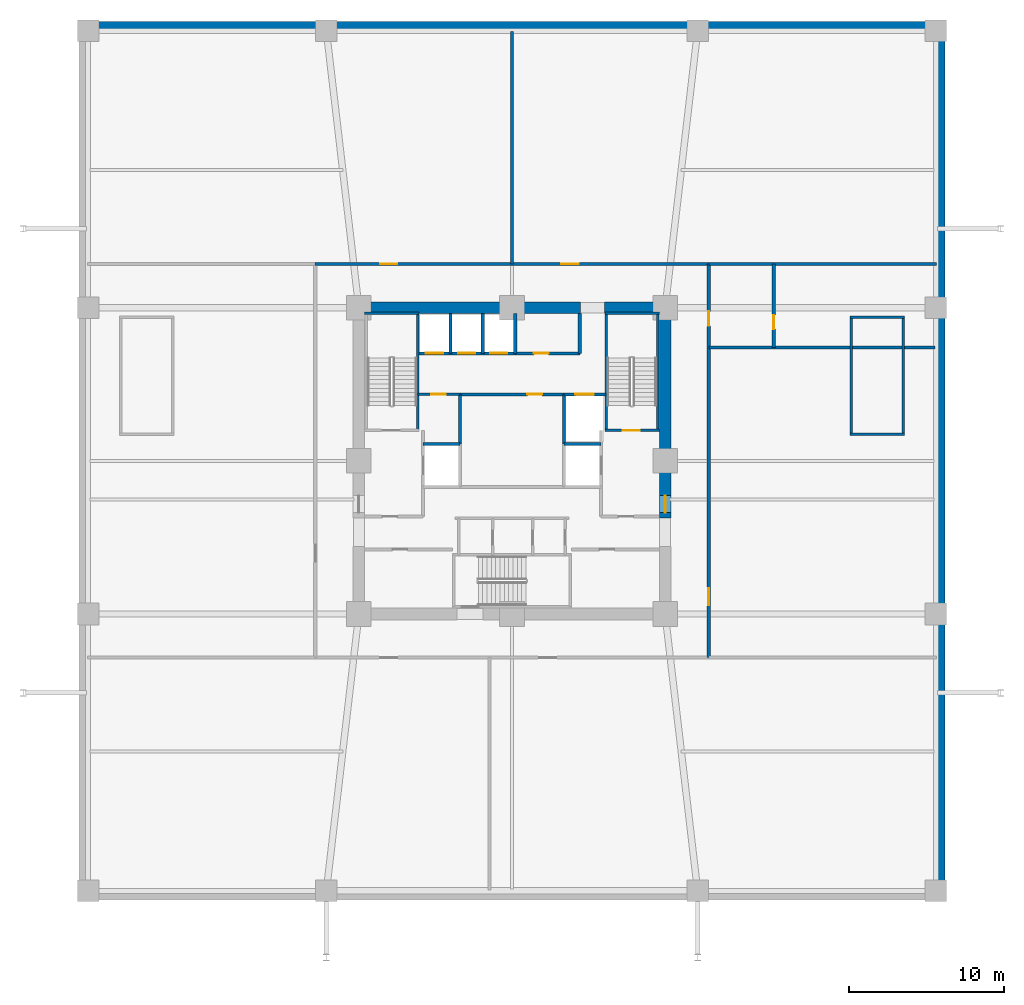
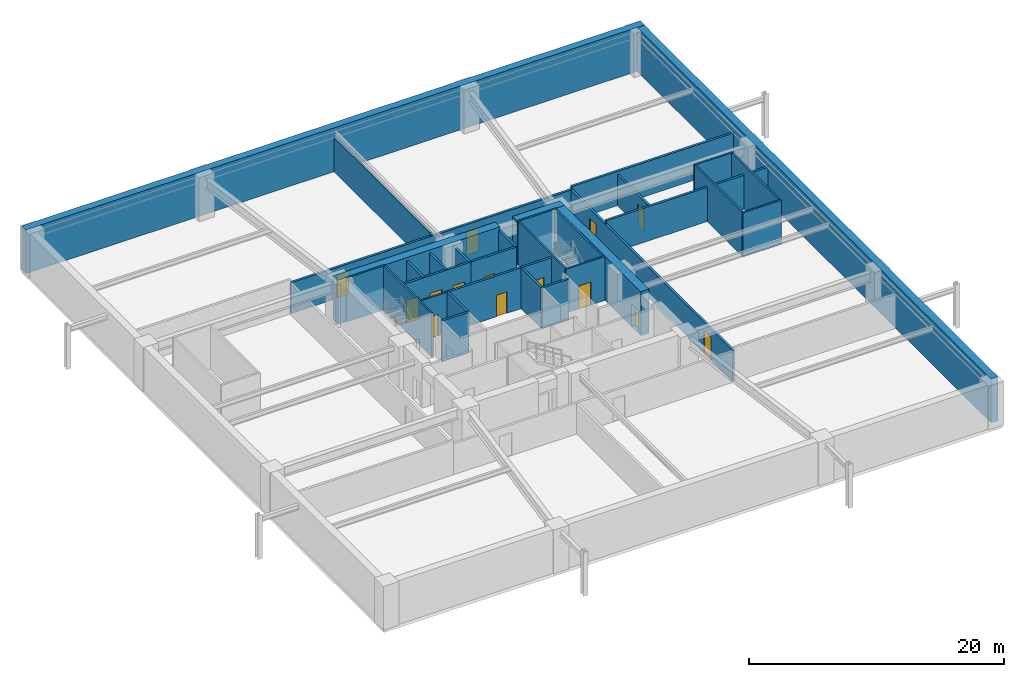
# One storey, part 3 of 5: 34 walls, 14 doors, 14 openings.
"""IFC4 building model written with IfcOpenShell, lengths in metres."""

from ifc_helpers import new_model, si_unit, direction, frame, frame_2d, origin, place, context, subcontext, project, spatial, rectangle, extrude, material, layer, layer_set, type_object, element, fill, save


model = new_model("IFC4")

# Units and contexts
model_context = context("Model", 3, precision=1e-05, world=origin(), true_north=direction((0.0, 1.0)))
body_context = subcontext(model_context, "Body", "Model", "MODEL_VIEW")
ifc_project = project(units=[si_unit("LENGTHUNIT", "METRE"), si_unit("AREAUNIT", "SQUARE_METRE"), si_unit("VOLUMEUNIT", "CUBIC_METRE"), si_unit("PLANEANGLEUNIT", "RADIAN"), si_unit("MASSUNIT", "GRAM", prefix="KILO")], contexts=[model_context])

# Site, building, storey
site_placement = place(None, origin())
site = spatial("IfcSite", under=ifc_project, at=site_placement, CompositionType="ELEMENT")
building_placement = place(site_placement, origin())
building = spatial("IfcBuilding", under=site, at=building_placement, Name="Kolvaren Belvedere", CompositionType="ELEMENT")
storey_placement = place(building_placement, frame((0.0, 0.0, -8.39990234375)))
storey = spatial("IfcBuildingStorey", under=building, at=storey_placement, Name="B02", CompositionType="ELEMENT", Elevation=-8.39990234375)

# Walls
ifc_material_1 = material(Name="Concrete C60/75", Category="concrete")
ifc_layer_1 = layer(ifc_material_1, 0.75)
ifc_layer_set_1 = layer_set([ifc_layer_1], Name="Concrete C60/75")
wall_type_1 = type_object("IfcWallType", Name="CW-CORE-750", PredefinedType="SHEAR", material=ifc_layer_set_1)
wall_1_placement = place(storey_placement, frame((-10.27490234375, 9.89990234375, 0.0), z_axis=(0.0, 0.0, 1.0), x_axis=(1.0, 0.0, 0.0)))
element("IfcWall", 1, at=wall_1_placement, inside=storey, type_object=wall_type_1, Name="B02 North Core Shear Wall 1", PredefinedType="SHEAR", context=body_context, shape_type="SweptSolid", body=[
    extrude(rectangle(XDim=14.69482421875, YDim=0.75, at=frame_2d((7.347412109375, 0.0))), origin(), (0.0, 0.0, 1.0), 4.199951171875),
])
wall_2_placement = place(storey_placement, frame((5.97998046875, 9.89990234375, 0.0), z_axis=(0.0, 0.0, 1.0), x_axis=(1.0, 0.0, 0.0)))
element("IfcWall", 2, at=wall_2_placement, inside=storey, type_object=wall_type_1, Name="B02 North Core Shear Wall 2", PredefinedType="SHEAR", context=body_context, shape_type="SweptSolid", body=[
    extrude(rectangle(XDim=4.294921875, YDim=0.75, at=frame_2d((2.1474609375, 0.0))), origin(), (0.0, 0.0, 1.0), 4.199951171875),
])

# Wall, opening, door
wall_3_placement = place(storey_placement, frame((9.89990234375, -3.699951171875, 0.0), z_axis=(0.0, 0.0, 1.0), x_axis=(0.0, 1.0, 0.0)))
wall_3 = element("IfcWall", 3, at=wall_3_placement, inside=storey, type_object=wall_type_1, Name="B02 East Core Shear Wall 2", PredefinedType="SHEAR", context=body_context, shape_type="SweptSolid", body=[
    extrude(rectangle(XDim=13.224853515625, YDim=0.75, at=frame_2d((6.6123046875, 0.0))), origin(), (0.0, 0.0, 1.0), 4.199951171875),
])
opening_1_placement = place(wall_3_placement, frame((0.35009765625, 0.0, 0.0)))
opening_1 = element("IfcOpeningElement", 4, at=opening_1_placement, cuts=wall_3, Name="Opening D-FD90", PredefinedType="OPENING", context=body_context, shape_type="SweptSolid", body=[
    extrude(rectangle(XDim=1.10009765625, YDim=2.199951171875, at=frame_2d((0.550048828125, 1.10009765625))), frame((0.0, 0.385009765625, 0.0), z_axis=(0.0, -1.0, 0.0), x_axis=(1.0, 0.0, 0.0)), (0.0, 0.0, 1.0), 0.77001953125),
])
ifc_material_2 = material(Name="Painted hollow stainless steel", Category="steel")
door_type_1 = type_object("IfcDoorType", Name="DR-FD90-1100", OperationType="NOTDEFINED", PredefinedType="DOOR", material=ifc_material_2)
door_1_placement = place(opening_1_placement, origin())
door_1 = element("IfcDoor", 5, at=door_1_placement, inside=storey, type_object=door_type_1, Name="B02 East Firefighting Lobby Fire Door", OperationType="SINGLE_SWING_RIGHT", OverallHeight=2.199951171875, OverallWidth=1.10009765625, PredefinedType="DOOR", context=body_context, shape_type="SweptSolid", body=[
    extrude(rectangle(XDim=1.10009765625, YDim=2.199951171875, at=frame_2d((0.550048828125, 1.10009765625))), frame((0.0, 0.02490234375, 0.0), z_axis=(0.0, -1.0, 0.0), x_axis=(1.0, 0.0, 0.0)), (0.0, 0.0, 1.0), 0.050048828125),
])
fill(opening_1, door_1)

# Walls
ifc_material_3 = material(Name="Concrete C50/60", Category="concrete")
ifc_layer_2 = layer(ifc_material_3, 0.159912109375)
ifc_layer_set_2 = layer_set([ifc_layer_2], Name="Concrete C50/60")
wall_type_2 = type_object("IfcWallType", Name="CW-STAIR-160", PredefinedType="SHEAR", material=ifc_layer_set_2)
for number, where, z_axis, x_axis, name in (
    (6, (21.85009765625, 1.719970703125, 0.0), (0.0, 0.0, 1.0), (1.0, 0.0, 0.0), "B02 Podium Stair ST-P2 Support Wall S"),
    (7, (21.85009765625, 9.280029296875, 0.0), (0.0, 0.0, 1.0), (1.0, 0.0, 0.0), "B02 Podium Stair ST-P2 Support Wall N"),
):
    element("IfcWall", number, at=place(storey_placement, frame(where, z_axis=z_axis, x_axis=x_axis)), inside=storey, type_object=wall_type_2, Name=name, PredefinedType="SHEAR", context=body_context, shape_type="SweptSolid", body=[
        extrude(rectangle(XDim=3.510009765625, YDim=0.159912109375, at=frame_2d((1.7548828125, 0.0))), origin(), (0.0, 0.0, 1.0), 4.199951171875),
    ])
for number, where, z_axis, x_axis, name in (
    (8, (21.929931640625, 1.800048828125, 0.0), (0.0, 0.0, 1.0), (0.0, 1.0, 0.0), "B02 Podium Stair ST-P2 Support Wall W"),
    (9, (25.280029296875, 1.800048828125, 0.0), (0.0, 0.0, 1.0), (0.0, 1.0, 0.0), "B02 Podium Stair ST-P2 Support Wall E"),
):
    element("IfcWall", number, at=place(storey_placement, frame(where, z_axis=z_axis, x_axis=x_axis)), inside=storey, type_object=wall_type_2, Name=name, PredefinedType="SHEAR", context=body_context, shape_type="SweptSolid", body=[
        extrude(rectangle(XDim=7.39990234375, YDim=0.159912109375, at=frame_2d((3.699951171875, 0.0))), origin(), (0.0, 0.0, 1.0), 4.199951171875),
    ])
wall_4_placement = place(storey_placement, frame((-9.52001953125, 9.530029296875, 0.0), z_axis=(0.0, 0.0, 1.0), x_axis=(1.0, 0.0, 0.0)))
element("IfcWall", 10, at=wall_4_placement, inside=storey, type_object=wall_type_2, Name="B02 Stair ST-1 North Shear Wall", PredefinedType="SHEAR", context=body_context, shape_type="SweptSolid", body=[
    extrude(rectangle(XDim=3.52001953125, YDim=0.159912109375, at=frame_2d((1.760009765625, 0.0))), origin(), (0.0, 0.0, 1.0), 4.199951171875),
])
wall_5_placement = place(storey_placement, frame((-6.080078125, 1.969970703125, 0.0), z_axis=(0.0, 0.0, 1.0), x_axis=(0.0, 1.0, 0.0)))
element("IfcWall", 11, at=wall_5_placement, inside=storey, type_object=wall_type_2, Name="B02 Stair ST-1 East Shear Wall", PredefinedType="SHEAR", context=body_context, shape_type="SweptSolid", body=[
    extrude(rectangle(XDim=7.56005859375, YDim=0.159912109375, at=frame_2d((3.780029296875, 0.0))), origin(), (0.0, 0.0, 1.0), 4.199951171875),
])

# Wall, opening, door
wall_6_placement = place(storey_placement, frame((6.0, 1.969970703125, 0.0), z_axis=(0.0, 0.0, 1.0), x_axis=(1.0, 0.0, 0.0)))
wall_6 = element("IfcWall", 12, at=wall_6_placement, inside=storey, type_object=wall_type_2, Name="B02 Stair ST-2 South Shear Wall", PredefinedType="SHEAR", context=body_context, shape_type="SweptSolid", body=[
    extrude(rectangle(XDim=3.52001953125, YDim=0.159912109375, at=frame_2d((1.760009765625, 0.0))), origin(), (0.0, 0.0, 1.0), 4.199951171875),
])
opening_2_placement = place(wall_6_placement, frame((1.14990234375, 0.0, 0.0)))
opening_2 = element("IfcOpeningElement", 13, at=opening_2_placement, cuts=wall_6, Name="Opening D-FD90", PredefinedType="OPENING", context=body_context, shape_type="SweptSolid", body=[
    extrude(rectangle(XDim=1.10009765625, YDim=2.199951171875, at=frame_2d((0.550048828125, 1.10009765625))), frame((0.0, 0.08984375, 0.0), z_axis=(0.0, -1.0, 0.0), x_axis=(1.0, 0.0, 0.0)), (0.0, 0.0, 1.0), 0.179931640625),
])
door_2_placement = place(opening_2_placement, origin())
door_2 = element("IfcDoor", 14, at=door_2_placement, inside=storey, type_object=door_type_1, Name="B02 Stair ST-2 Fire Door", OperationType="SINGLE_SWING_RIGHT", OverallHeight=2.199951171875, OverallWidth=1.10009765625, PredefinedType="DOOR", context=body_context, shape_type="SweptSolid", body=[
    extrude(rectangle(XDim=1.10009765625, YDim=2.199951171875, at=frame_2d((0.550048828125, 1.10009765625))), frame((0.0, 0.02490234375, 0.0), z_axis=(0.0, -1.0, 0.0), x_axis=(1.0, 0.0, 0.0)), (0.0, 0.0, 1.0), 0.050048828125),
])
fill(opening_2, door_2)

# Walls
wall_7_placement = place(storey_placement, frame((6.0, 9.530029296875, 0.0), z_axis=(0.0, 0.0, 1.0), x_axis=(1.0, 0.0, 0.0)))
element("IfcWall", 15, at=wall_7_placement, inside=storey, type_object=wall_type_2, Name="B02 Stair ST-2 North Shear Wall", PredefinedType="SHEAR", context=body_context, shape_type="SweptSolid", body=[
    extrude(rectangle(XDim=3.52001953125, YDim=0.159912109375, at=frame_2d((1.760009765625, 0.0))), origin(), (0.0, 0.0, 1.0), 4.199951171875),
])
for number, where, z_axis, x_axis, name in (
    (16, (6.080078125, 1.969970703125, 0.0), (0.0, 0.0, 1.0), (0.0, 1.0, 0.0), "B02 Stair ST-2 West Shear Wall"),
    (17, (9.429931640625, 1.969970703125, 0.0), (0.0, 0.0, 1.0), (0.0, 1.0, 0.0), "B02 Stair ST-2 East Shear Wall"),
):
    element("IfcWall", number, at=place(storey_placement, frame(where, z_axis=z_axis, x_axis=x_axis)), inside=storey, type_object=wall_type_2, Name=name, PredefinedType="SHEAR", context=body_context, shape_type="SweptSolid", body=[
        extrude(rectangle(XDim=7.56005859375, YDim=0.159912109375, at=frame_2d((3.780029296875, 0.0))), origin(), (0.0, 0.0, 1.0), 4.199951171875),
    ])
ifc_material_4 = material(Name="Concrete C50/60", Category="concrete")
ifc_layer_3 = layer(ifc_material_4, 0.64990234375)
ifc_layer_set_3 = layer_set([ifc_layer_3], Name="Concrete C50/60")
wall_type_3 = type_object("IfcWallType", Name="RW-BASE-650", PredefinedType="SHEAR", material=ifc_layer_set_3)
wall_8_placement = place(storey_placement, frame((-28.0, 28.074951171875, 0.0), z_axis=(0.0, 0.0, 1.0), x_axis=(1.0, 0.0, 0.0)))
element("IfcWall", 18, at=wall_8_placement, inside=storey, type_object=wall_type_3, Name="B02 North Perimeter Retaining Wall", PredefinedType="SHEAR", context=body_context, shape_type="SweptSolid", body=[
    extrude(rectangle(XDim=56.0, YDim=0.64990234375, at=frame_2d((28.0, 0.0))), origin(), (0.0, 0.0, 1.0), 4.199951171875),
])
wall_9_placement = place(storey_placement, frame((27.675048828125, -27.75, 0.0), z_axis=(0.0, 0.0, 1.0), x_axis=(0.0, 1.0, 0.0)))
element("IfcWall", 19, at=wall_9_placement, inside=storey, type_object=wall_type_3, Name="B02 East Perimeter Retaining Wall", PredefinedType="SHEAR", context=body_context, shape_type="SweptSolid", body=[
    extrude(rectangle(XDim=55.5, YDim=0.64990234375, at=frame_2d((27.75, 0.0))), origin(), (0.0, 0.0, 1.0), 4.199951171875),
])

# Wall, opening, door
ifc_material_5 = material(Name="Gypsum acoustic partition assembly", Category="gypsum")
ifc_layer_4 = layer(ifc_material_5, 0.14990234375)
ifc_layer_set_4 = layer_set([ifc_layer_4], Name="Gypsum acoustic partition assembly")
wall_type_4 = type_object("IfcWallType", Name="WL-PART-150", PredefinedType="PARTITIONING", material=ifc_layer_set_4)
wall_10_placement = place(storey_placement, frame((-6.080078125, 4.300048828125, 0.0), z_axis=(0.0, 0.0, 1.0), x_axis=(1.0, 0.0, 0.0)))
wall_10 = element("IfcWall", 20, at=wall_10_placement, inside=storey, type_object=wall_type_4, Name="B02 NW Service Room North Wall", PredefinedType="PARTITIONING", context=body_context, shape_type="SweptSolid", body=[
    extrude(rectangle(XDim=2.72998046875, YDim=0.14990234375, at=frame_2d((1.364990234375, 0.0))), origin(), (0.0, 0.0, 1.0), 3.89990234375),
])
opening_3_placement = place(wall_10_placement, frame((0.85009765625, 0.0, 0.0)))
opening_3 = element("IfcOpeningElement", 21, at=opening_3_placement, cuts=wall_10, Name="Opening D-FD60", PredefinedType="OPENING", context=body_context, shape_type="SweptSolid", body=[
    extrude(rectangle(XDim=0.949951171875, YDim=2.06005859375, at=frame_2d((0.47509765625, 1.030029296875))), frame((0.0, 0.0849609375, 0.0), z_axis=(0.0, -1.0, 0.0), x_axis=(1.0, 0.0, 0.0)), (0.0, 0.0, 1.0), 0.169921875),
])
ifc_material_6 = material(Name="Acoustic white-oak fire door leaf", Category="timber")
door_type_2 = type_object("IfcDoorType", Name="DR-FD60-950", OperationType="NOTDEFINED", PredefinedType="DOOR", material=ifc_material_6)
door_3_placement = place(opening_3_placement, origin())
door_3 = element("IfcDoor", 22, at=door_3_placement, inside=storey, type_object=door_type_2, Name="B02 NW Core Store Door", OperationType="SINGLE_SWING_RIGHT", OverallHeight=2.06005859375, OverallWidth=0.949951171875, PredefinedType="DOOR", context=body_context, shape_type="SweptSolid", body=[
    extrude(rectangle(XDim=0.949951171875, YDim=2.06005859375, at=frame_2d((0.47509765625, 1.030029296875))), frame((0.0, 0.02490234375, 0.0), z_axis=(0.0, -1.0, 0.0), x_axis=(1.0, 0.0, 0.0)), (0.0, 0.0, 1.0), 0.050048828125),
])
fill(opening_3, door_3)

# Walls
ifc_material_7 = material(Name="Concrete C50/60", Category="concrete")
ifc_layer_5 = layer(ifc_material_7, 0.199951171875)
ifc_layer_set_5 = layer_set([ifc_layer_5], Name="Concrete C50/60")
wall_type_5 = type_object("IfcWallType", Name="WL-SHAFT-200", PredefinedType="SOLIDWALL", material=ifc_layer_set_5)
for number, where, z_axis, x_axis, name in (
    (23, (-5.75, 1.10009765625, 0.0), (0.0, 0.0, 1.0), (1.0, 0.0, 0.0), "B02 FSAE FS1 North Wall"),
    (24, (3.35009765625, 1.10009765625, 0.0), (0.0, 0.0, 1.0), (1.0, 0.0, 0.0), "B02 FSAE FS2 North Wall"),
):
    element("IfcWall", number, at=place(storey_placement, frame(where, z_axis=z_axis, x_axis=x_axis)), inside=storey, type_object=wall_type_5, Name=name, PredefinedType="SOLIDWALL", context=body_context, shape_type="SweptSolid", body=[
        extrude(rectangle(XDim=2.39990234375, YDim=0.199951171875, at=frame_2d((1.199951171875, 0.0))), origin(), (0.0, 0.0, 1.0), 3.89990234375),
    ])

# Wall, opening, door
wall_11_placement = place(storey_placement, frame((3.35009765625, 4.300048828125, 0.0), z_axis=(0.0, 0.0, 1.0), x_axis=(1.0, 0.0, 0.0)))
wall_11 = element("IfcWall", 25, at=wall_11_placement, inside=storey, type_object=wall_type_5, Name="B02 Service Lift SV1 Front Wall", PredefinedType="SOLIDWALL", context=body_context, shape_type="SweptSolid", body=[
    extrude(rectangle(XDim=2.72998046875, YDim=0.199951171875, at=frame_2d((1.364990234375, 0.0))), origin(), (0.0, 0.0, 1.0), 3.89990234375),
])
opening_4_placement = place(wall_11_placement, frame((0.75, 0.0, 0.0)))
opening_4 = element("IfcOpeningElement", 26, at=opening_4_placement, cuts=wall_11, Name="Opening LD-12", PredefinedType="OPENING", context=body_context, shape_type="SweptSolid", body=[
    extrude(rectangle(XDim=1.199951171875, YDim=2.25, at=frame_2d((0.60009765625, 1.125))), frame((0.0, 0.10986328125, 0.0), z_axis=(0.0, -1.0, 0.0), x_axis=(1.0, 0.0, 0.0)), (0.0, 0.0, 1.0), 0.219970703125),
])
ifc_material_8 = material(Name="Brushed stainless steel", Category="steel")
door_type_3 = type_object("IfcDoorType", Name="DR-LIFT-1200", OperationType="DOUBLE_DOOR_SLIDING", PredefinedType="DOOR", material=ifc_material_8)
door_4_placement = place(opening_4_placement, origin())
door_4 = element("IfcDoor", 27, at=door_4_placement, inside=storey, type_object=door_type_3, Name="B02 Service Lift SV1 Landing Door", OperationType="DOUBLE_DOOR_SLIDING", OverallHeight=2.25, OverallWidth=1.199951171875, PredefinedType="DOOR", context=body_context, shape_type="SweptSolid", body=[
    extrude(rectangle(XDim=1.199951171875, YDim=2.25, at=frame_2d((0.60009765625, 1.125))), frame((0.0, 0.02490234375, 0.0), z_axis=(0.0, -1.0, 0.0), x_axis=(1.0, 0.0, 0.0)), (0.0, 0.0, 1.0), 0.050048828125),
])
fill(opening_4, door_4)

# Wall, openings, doors
wall_12_placement = place(storey_placement, frame((-6.080078125, 6.949951171875, 0.0), z_axis=(0.0, 0.0, 1.0), x_axis=(1.0, 0.0, 0.0)))
wall_12 = element("IfcWall", 28, at=wall_12_placement, inside=storey, type_object=wall_type_5, Name="B02 Low-Rise Lift Bank Front Wall", PredefinedType="SOLIDWALL", context=body_context, shape_type="SweptSolid", body=[
    extrude(rectangle(XDim=6.300048828125, YDim=0.199951171875, at=frame_2d((3.14990234375, 0.0))), origin(), (0.0, 0.0, 1.0), 3.89990234375),
])
opening_5_placement = place(wall_12_placement, frame((0.52001953125, 0.0, 0.0)))
opening_5 = element("IfcOpeningElement", 29, at=opening_5_placement, cuts=wall_12, Name="Opening LD-11", PredefinedType="OPENING", context=body_context, shape_type="SweptSolid", body=[
    extrude(rectangle(XDim=1.10009765625, YDim=2.199951171875, at=frame_2d((0.550048828125, 1.10009765625))), frame((0.0, 0.10986328125, 0.0), z_axis=(0.0, -1.0, 0.0), x_axis=(1.0, 0.0, 0.0)), (0.0, 0.0, 1.0), 0.219970703125),
])
opening_6_placement = place(wall_12_placement, frame((2.60009765625, 0.0, 0.0)))
opening_6 = element("IfcOpeningElement", 30, at=opening_6_placement, cuts=wall_12, Name="Opening LD-11", PredefinedType="OPENING", context=body_context, shape_type="SweptSolid", body=[
    extrude(rectangle(XDim=1.10009765625, YDim=2.199951171875, at=frame_2d((0.550048828125, 1.10009765625))), frame((0.0, 0.10986328125, 0.0), z_axis=(0.0, -1.0, 0.0), x_axis=(1.0, 0.0, 0.0)), (0.0, 0.0, 1.0), 0.219970703125),
])
opening_7_placement = place(wall_12_placement, frame((4.679931640625, 0.0, 0.0)))
opening_7 = element("IfcOpeningElement", 31, at=opening_7_placement, cuts=wall_12, Name="Opening LD-11", PredefinedType="OPENING", context=body_context, shape_type="SweptSolid", body=[
    extrude(rectangle(XDim=1.10009765625, YDim=2.199951171875, at=frame_2d((0.550048828125, 1.10009765625))), frame((0.0, 0.10986328125, 0.0), z_axis=(0.0, -1.0, 0.0), x_axis=(1.0, 0.0, 0.0)), (0.0, 0.0, 1.0), 0.219970703125),
])
ifc_material_9 = material(Name="Brushed stainless steel", Category="steel")
door_type_4 = type_object("IfcDoorType", Name="DR-LIFT-1100", OperationType="DOUBLE_DOOR_SLIDING", PredefinedType="DOOR", material=ifc_material_9)
door_5_placement = place(opening_5_placement, origin())
door_5 = element("IfcDoor", 32, at=door_5_placement, inside=storey, type_object=door_type_4, Name="B02 Passenger Lift P1 Landing Door", OperationType="DOUBLE_DOOR_SLIDING", OverallHeight=2.199951171875, OverallWidth=1.10009765625, PredefinedType="DOOR", context=body_context, shape_type="SweptSolid", body=[
    extrude(rectangle(XDim=1.10009765625, YDim=2.199951171875, at=frame_2d((0.550048828125, 1.10009765625))), frame((0.0, 0.02490234375, 0.0), z_axis=(0.0, -1.0, 0.0), x_axis=(1.0, 0.0, 0.0)), (0.0, 0.0, 1.0), 0.050048828125),
])
fill(opening_5, door_5)
door_6_placement = place(opening_6_placement, origin())
door_6 = element("IfcDoor", 33, at=door_6_placement, inside=storey, type_object=door_type_4, Name="B02 Passenger Lift P2 Landing Door", OperationType="DOUBLE_DOOR_SLIDING", OverallHeight=2.199951171875, OverallWidth=1.10009765625, PredefinedType="DOOR", context=body_context, shape_type="SweptSolid", body=[
    extrude(rectangle(XDim=1.10009765625, YDim=2.199951171875, at=frame_2d((0.550048828125, 1.10009765625))), frame((0.0, 0.02490234375, 0.0), z_axis=(0.0, -1.0, 0.0), x_axis=(1.0, 0.0, 0.0)), (0.0, 0.0, 1.0), 0.050048828125),
])
fill(opening_6, door_6)
door_7_placement = place(opening_7_placement, origin())
door_7 = element("IfcDoor", 34, at=door_7_placement, inside=storey, type_object=door_type_4, Name="B02 Passenger Lift P3 Landing Door", OperationType="DOUBLE_DOOR_SLIDING", OverallHeight=2.199951171875, OverallWidth=1.10009765625, PredefinedType="DOOR", context=body_context, shape_type="SweptSolid", body=[
    extrude(rectangle(XDim=1.10009765625, YDim=2.199951171875, at=frame_2d((0.550048828125, 1.10009765625))), frame((0.0, 0.02490234375, 0.0), z_axis=(0.0, -1.0, 0.0), x_axis=(1.0, 0.0, 0.0)), (0.0, 0.0, 1.0), 0.050048828125),
])
fill(opening_7, door_7)

# Walls
for number, where, z_axis, x_axis, name in (
    (35, (-3.969970703125, 6.949951171875, 0.0), (0.0, 0.0, 1.0), (0.0, 1.0, 0.0), "B02 Low-Rise Hoistway Divider 1"),
    (36, (-1.889892578125, 6.949951171875, 0.0), (0.0, 0.0, 1.0), (0.0, 1.0, 0.0), "B02 Low-Rise Hoistway Divider 2"),
    (37, (0.2099609375, 6.949951171875, 0.0), (0.0, 0.0, 1.0), (0.0, 1.0, 0.0), "B02 Low-Rise Hoistway Divider 3"),
):
    element("IfcWall", number, at=place(storey_placement, frame(where, z_axis=z_axis, x_axis=x_axis)), inside=storey, type_object=wall_type_5, Name=name, PredefinedType="SOLIDWALL", context=body_context, shape_type="SweptSolid", body=[
        extrude(rectangle(XDim=2.570068359375, YDim=0.199951171875, at=frame_2d((1.28515625, 0.0))), origin(), (0.0, 0.0, 1.0), 3.89990234375),
    ])

# Wall, opening, door
wall_13_placement = place(storey_placement, frame((0.219970703125, 6.949951171875, 0.0), z_axis=(0.0, 0.0, 1.0), x_axis=(1.0, 0.0, 0.0)))
wall_13 = element("IfcWall", 38, at=wall_13_placement, inside=storey, type_object=wall_type_5, Name="B02 Core Metering Wall", PredefinedType="SOLIDWALL", context=body_context, shape_type="SweptSolid", body=[
    extrude(rectangle(XDim=4.159912109375, YDim=0.199951171875, at=frame_2d((2.080078125, 0.0))), origin(), (0.0, 0.0, 1.0), 3.89990234375),
])
opening_8_placement = place(wall_13_placement, frame((1.199951171875, 0.0, 0.0)))
opening_8 = element("IfcOpeningElement", 39, at=opening_8_placement, cuts=wall_13, Name="Opening D-FD60", PredefinedType="OPENING", context=body_context, shape_type="SweptSolid", body=[
    extrude(rectangle(XDim=0.949951171875, YDim=2.06005859375, at=frame_2d((0.47509765625, 1.030029296875))), frame((0.0, 0.10986328125, 0.0), z_axis=(0.0, -1.0, 0.0), x_axis=(1.0, 0.0, 0.0)), (0.0, 0.0, 1.0), 0.219970703125),
])
door_8_placement = place(opening_8_placement, origin())
door_8 = element("IfcDoor", 40, at=door_8_placement, inside=storey, type_object=door_type_2, Name="B02 Core Metering Door", OperationType="SINGLE_SWING_LEFT", OverallHeight=2.06005859375, OverallWidth=0.949951171875, PredefinedType="DOOR", context=body_context, shape_type="SweptSolid", body=[
    extrude(rectangle(XDim=0.949951171875, YDim=2.06005859375, at=frame_2d((0.47509765625, 1.030029296875))), frame((0.0, 0.02490234375, 0.0), z_axis=(0.0, -1.0, 0.0), x_axis=(1.0, 0.0, 0.0)), (0.0, 0.0, 1.0), 0.050048828125),
])
fill(opening_8, door_8)

# Wall
wall_14_placement = place(storey_placement, frame((4.3798828125, 6.949951171875, 0.0), z_axis=(0.0, 0.0, 1.0), x_axis=(0.0, 1.0, 0.0)))
element("IfcWall", 41, at=wall_14_placement, inside=storey, type_object=wall_type_5, Name="B02 Core Metering East Wall", PredefinedType="SOLIDWALL", context=body_context, shape_type="SweptSolid", body=[
    extrude(rectangle(XDim=2.570068359375, YDim=0.199951171875, at=frame_2d((1.28515625, 0.0))), origin(), (0.0, 0.0, 1.0), 3.89990234375),
])

# Wall, opening, door
wall_15_placement = place(storey_placement, frame((-3.35009765625, 4.300048828125, 0.0), z_axis=(0.0, 0.0, 1.0), x_axis=(1.0, 0.0, 0.0)))
wall_15 = element("IfcWall", 42, at=wall_15_placement, inside=storey, type_object=wall_type_5, Name="B02 Central Core Room North Wall", PredefinedType="SOLIDWALL", context=body_context, shape_type="SweptSolid", body=[
    extrude(rectangle(XDim=6.7001953125, YDim=0.199951171875, at=frame_2d((3.35009765625, 0.0))), origin(), (0.0, 0.0, 1.0), 3.89990234375),
])
opening_9_placement = place(wall_15_placement, frame((4.35009765625, 0.0, 0.0)))
opening_9 = element("IfcOpeningElement", 43, at=opening_9_placement, cuts=wall_15, Name="Opening D-FD60", PredefinedType="OPENING", context=body_context, shape_type="SweptSolid", body=[
    extrude(rectangle(XDim=0.949951171875, YDim=2.06005859375, at=frame_2d((0.47509765625, 1.030029296875))), frame((0.0, 0.10986328125, 0.0), z_axis=(0.0, -1.0, 0.0), x_axis=(1.0, 0.0, 0.0)), (0.0, 0.0, 1.0), 0.219970703125),
])
door_9_placement = place(opening_9_placement, origin())
door_9 = element("IfcDoor", 44, at=door_9_placement, inside=storey, type_object=door_type_2, Name="B02 Central Core Controls Door", OperationType="SINGLE_SWING_LEFT", OverallHeight=2.06005859375, OverallWidth=0.949951171875, PredefinedType="DOOR", context=body_context, shape_type="SweptSolid", body=[
    extrude(rectangle(XDim=0.949951171875, YDim=2.06005859375, at=frame_2d((0.47509765625, 1.030029296875))), frame((0.0, 0.02490234375, 0.0), z_axis=(0.0, -1.0, 0.0), x_axis=(1.0, 0.0, 0.0)), (0.0, 0.0, 1.0), 0.050048828125),
])
fill(opening_9, door_9)

# Walls
for number, where, z_axis, x_axis, name in (
    (45, (-3.35009765625, 1.10009765625, 0.0), (0.0, 0.0, 1.0), (0.0, 1.0, 0.0), "B02 Central Core Room West Wall"),
    (46, (3.35009765625, 1.10009765625, 0.0), (0.0, 0.0, 1.0), (0.0, 1.0, 0.0), "B02 Central Core Room East Wall"),
):
    element("IfcWall", number, at=place(storey_placement, frame(where, z_axis=z_axis, x_axis=x_axis)), inside=storey, type_object=wall_type_5, Name=name, PredefinedType="SOLIDWALL", context=body_context, shape_type="SweptSolid", body=[
        extrude(rectangle(XDim=3.199951171875, YDim=0.199951171875, at=frame_2d((1.60009765625, 0.0))), origin(), (0.0, 0.0, 1.0), 3.89990234375),
    ])

# Wall, openings, doors
wall_16_placement = place(storey_placement, frame((-12.719970703125, 12.719970703125, 0.0), z_axis=(0.0, 0.0, 1.0), x_axis=(1.0, 0.0, 0.0)))
wall_16 = element("IfcWall", 47, at=wall_16_placement, inside=storey, type_object=wall_type_5, Name="B02 North Corridor Wall", PredefinedType="SOLIDWALL", context=body_context, shape_type="SweptSolid", body=[
    extrude(rectangle(XDim=25.43994140625, YDim=0.199951171875, at=frame_2d((12.719970703125, 0.0))), origin(), (0.0, 0.0, 1.0), 2.9580078125),
])
opening_10_placement = place(wall_16_placement, frame((4.199951171875, 0.0, 0.0)))
opening_10 = element("IfcOpeningElement", 48, at=opening_10_placement, cuts=wall_16, Name="Opening D-FD90", PredefinedType="OPENING", context=body_context, shape_type="SweptSolid", body=[
    extrude(rectangle(XDim=1.10009765625, YDim=2.199951171875, at=frame_2d((0.550048828125, 1.10009765625))), frame((0.0, 0.10986328125, 0.0), z_axis=(0.0, -1.0, 0.0), x_axis=(1.0, 0.0, 0.0)), (0.0, 0.0, 1.0), 0.219970703125),
])
opening_11_placement = place(wall_16_placement, frame((15.919921875, 0.0, 0.0)))
opening_11 = element("IfcOpeningElement", 49, at=opening_11_placement, cuts=wall_16, Name="Opening D-FD90", PredefinedType="OPENING", context=body_context, shape_type="SweptSolid", body=[
    extrude(rectangle(XDim=1.10009765625, YDim=2.199951171875, at=frame_2d((0.550048828125, 1.10009765625))), frame((0.0, 0.10986328125, 0.0), z_axis=(0.0, -1.0, 0.0), x_axis=(1.0, 0.0, 0.0)), (0.0, 0.0, 1.0), 0.219970703125),
])
door_10_placement = place(opening_10_placement, origin())
door_10 = element("IfcDoor", 50, at=door_10_placement, inside=storey, type_object=door_type_1, Name="B02 Staff Changing & Locker Room Door", OperationType="SINGLE_SWING_RIGHT", OverallHeight=2.199951171875, OverallWidth=1.10009765625, PredefinedType="DOOR", context=body_context, shape_type="SweptSolid", body=[
    extrude(rectangle(XDim=1.10009765625, YDim=2.199951171875, at=frame_2d((0.550048828125, 1.10009765625))), frame((0.0, 0.02490234375, 0.0), z_axis=(0.0, -1.0, 0.0), x_axis=(1.0, 0.0, 0.0)), (0.0, 0.0, 1.0), 0.050048828125),
])
fill(opening_10, door_10)
door_11_placement = place(opening_11_placement, origin())
door_11 = element("IfcDoor", 51, at=door_11_placement, inside=storey, type_object=door_type_1, Name="B02 Auxiliary Controls Mechanical Plant Door", OperationType="SINGLE_SWING_LEFT", OverallHeight=2.199951171875, OverallWidth=1.10009765625, PredefinedType="DOOR", context=body_context, shape_type="SweptSolid", body=[
    extrude(rectangle(XDim=1.10009765625, YDim=2.199951171875, at=frame_2d((0.550048828125, 1.10009765625))), frame((0.0, 0.02490234375, 0.0), z_axis=(0.0, -1.0, 0.0), x_axis=(1.0, 0.0, 0.0)), (0.0, 0.0, 1.0), 0.050048828125),
])
fill(opening_11, door_11)

wall_17_placement = place(storey_placement, frame((12.719970703125, -12.719970703125, 0.0), z_axis=(0.0, 0.0, 1.0), x_axis=(0.0, 1.0, 0.0)))
wall_17 = element("IfcWall", 52, at=wall_17_placement, inside=storey, type_object=wall_type_5, Name="B02 East Corridor Wall", PredefinedType="SOLIDWALL", context=body_context, shape_type="SweptSolid", body=[
    extrude(rectangle(XDim=25.43994140625, YDim=0.199951171875, at=frame_2d((12.719970703125, 0.0))), origin(), (0.0, 0.0, 1.0), 2.9580078125),
])
opening_12_placement = place(wall_17_placement, frame((3.39990234375, 0.0, 0.0)))
opening_12 = element("IfcOpeningElement", 53, at=opening_12_placement, cuts=wall_17, Name="Opening D-FD90", PredefinedType="OPENING", context=body_context, shape_type="SweptSolid", body=[
    extrude(rectangle(XDim=1.10009765625, YDim=2.199951171875, at=frame_2d((0.550048828125, 1.10009765625))), frame((0.0, 0.10986328125, 0.0), z_axis=(0.0, -1.0, 0.0), x_axis=(1.0, 0.0, 0.0)), (0.0, 0.0, 1.0), 0.219970703125),
])
opening_13_placement = place(wall_17_placement, frame((21.43994140625, 0.0, 0.0)))
opening_13 = element("IfcOpeningElement", 54, at=opening_13_placement, cuts=wall_17, Name="Opening D-INT95", PredefinedType="OPENING", context=body_context, shape_type="SweptSolid", body=[
    extrude(rectangle(XDim=0.949951171875, YDim=2.06005859375, at=frame_2d((0.47509765625, 1.030029296875))), frame((0.0, 0.10986328125, 0.0), z_axis=(0.0, -1.0, 0.0), x_axis=(1.0, 0.0, 0.0)), (0.0, 0.0, 1.0), 0.219970703125),
])
door_12_placement = place(opening_12_placement, origin())
door_12 = element("IfcDoor", 55, at=door_12_placement, inside=storey, type_object=door_type_1, Name="B02 Laundry Processing Mechanical Plant Door", OperationType="SINGLE_SWING_RIGHT", OverallHeight=2.199951171875, OverallWidth=1.10009765625, PredefinedType="DOOR", context=body_context, shape_type="SweptSolid", body=[
    extrude(rectangle(XDim=1.10009765625, YDim=2.199951171875, at=frame_2d((0.550048828125, 1.10009765625))), frame((0.0, 0.02490234375, 0.0), z_axis=(0.0, -1.0, 0.0), x_axis=(1.0, 0.0, 0.0)), (0.0, 0.0, 1.0), 0.050048828125),
])
fill(opening_12, door_12)
ifc_material_10 = material(Name="Stained Pacific white oak", Category="timber")
door_type_5 = type_object("IfcDoorType", Name="DR-INT-950", OperationType="NOTDEFINED", PredefinedType="DOOR", material=ifc_material_10)
door_13_placement = place(opening_13_placement, origin())
door_13 = element("IfcDoor", 56, at=door_13_placement, inside=storey, type_object=door_type_5, Name="B02 Staff Accessible Washroom Door", OperationType="SINGLE_SWING_LEFT", OverallHeight=2.06005859375, OverallWidth=0.949951171875, PredefinedType="DOOR", context=body_context, shape_type="SweptSolid", body=[
    extrude(rectangle(XDim=0.949951171875, YDim=2.06005859375, at=frame_2d((0.47509765625, 1.030029296875))), frame((0.0, 0.02490234375, 0.0), z_axis=(0.0, -1.0, 0.0), x_axis=(1.0, 0.0, 0.0)), (0.0, 0.0, 1.0), 0.050048828125),
])
fill(opening_13, door_13)

# Walls
wall_18_placement = place(storey_placement, frame((12.719970703125, 12.719970703125, 0.0), z_axis=(0.0, 0.0, 1.0), x_axis=(1.0, 0.0, 0.0)))
element("IfcWall", 57, at=wall_18_placement, inside=storey, type_object=wall_type_5, Name="B02 Sector Wall PW-B02-QNE", PredefinedType="SOLIDWALL", context=body_context, shape_type="SweptSolid", body=[
    extrude(rectangle(XDim=14.719970703125, YDim=0.199951171875, at=frame_2d((7.35986328125, 0.0))), origin(), (0.0, 0.0, 1.0), 3.268798828125),
])
wall_19_placement = place(storey_placement, frame((12.719970703125, 7.320068359375, 0.0), z_axis=(0.0, 0.0, 1.0), x_axis=(1.0, 0.0, 0.0)))
element("IfcWall", 58, at=wall_19_placement, inside=storey, type_object=wall_type_5, Name="B02 East Plant WC Wall", PredefinedType="SOLIDWALL", context=body_context, shape_type="SweptSolid", body=[
    extrude(rectangle(XDim=14.630126953125, YDim=0.199951171875, at=frame_2d((7.31494140625, 0.0))), origin(), (0.0, 0.0, 1.0), 3.268798828125),
])

# Wall, opening, door
wall_20_placement = place(storey_placement, frame((16.919921875, 7.320068359375, 0.0), z_axis=(0.0, 0.0, 1.0), x_axis=(0.0, 1.0, 0.0)))
wall_20 = element("IfcWall", 59, at=wall_20_placement, inside=storey, type_object=wall_type_5, Name="B02 Staff WC Back Wall", PredefinedType="SOLIDWALL", context=body_context, shape_type="SweptSolid", body=[
    extrude(rectangle(XDim=5.39990234375, YDim=0.199951171875, at=frame_2d((2.699951171875, 0.0))), origin(), (0.0, 0.0, 1.0), 2.9580078125),
])
opening_14_placement = place(wall_20_placement, frame((1.199951171875, 0.0, 0.0)))
opening_14 = element("IfcOpeningElement", 60, at=opening_14_placement, cuts=wall_20, Name="Opening D-INT90", PredefinedType="OPENING", context=body_context, shape_type="SweptSolid", body=[
    extrude(rectangle(XDim=0.89990234375, YDim=2.06005859375, at=frame_2d((0.449951171875, 1.030029296875))), frame((0.0, 0.10986328125, 0.0), z_axis=(0.0, -1.0, 0.0), x_axis=(1.0, 0.0, 0.0)), (0.0, 0.0, 1.0), 0.219970703125),
])
ifc_material_11 = material(Name="Stained Pacific white oak", Category="timber")
door_type_6 = type_object("IfcDoorType", Name="DR-INT-900", OperationType="NOTDEFINED", PredefinedType="DOOR", material=ifc_material_11)
door_14_placement = place(opening_14_placement, origin())
door_14 = element("IfcDoor", 61, at=door_14_placement, inside=storey, type_object=door_type_6, Name="B02 Water Softener Mechanical Plant Door", OperationType="SINGLE_SWING_RIGHT", OverallHeight=2.06005859375, OverallWidth=0.89990234375, PredefinedType="DOOR", context=body_context, shape_type="SweptSolid", body=[
    extrude(rectangle(XDim=0.89990234375, YDim=2.06005859375, at=frame_2d((0.449951171875, 1.030029296875))), frame((0.0, 0.02490234375, 0.0), z_axis=(0.0, -1.0, 0.0), x_axis=(1.0, 0.0, 0.0)), (0.0, 0.0, 1.0), 0.050048828125),
])
fill(opening_14, door_14)

# Wall
wall_21_placement = place(storey_placement, frame((0.0, 12.719970703125, 0.0), z_axis=(0.0, 0.0, 1.0), x_axis=(0.0, 1.0, 0.0)))
element("IfcWall", 62, at=wall_21_placement, inside=storey, type_object=wall_type_5, Name="B02 North Plant Divider", PredefinedType="SOLIDWALL", context=body_context, shape_type="SweptSolid", body=[
    extrude(rectangle(XDim=15.030029296875, YDim=0.199951171875, at=frame_2d((7.51513671875, 0.0))), origin(), (0.0, 0.0, 1.0), 3.268798828125),
])

save(model, "model.ifc")
